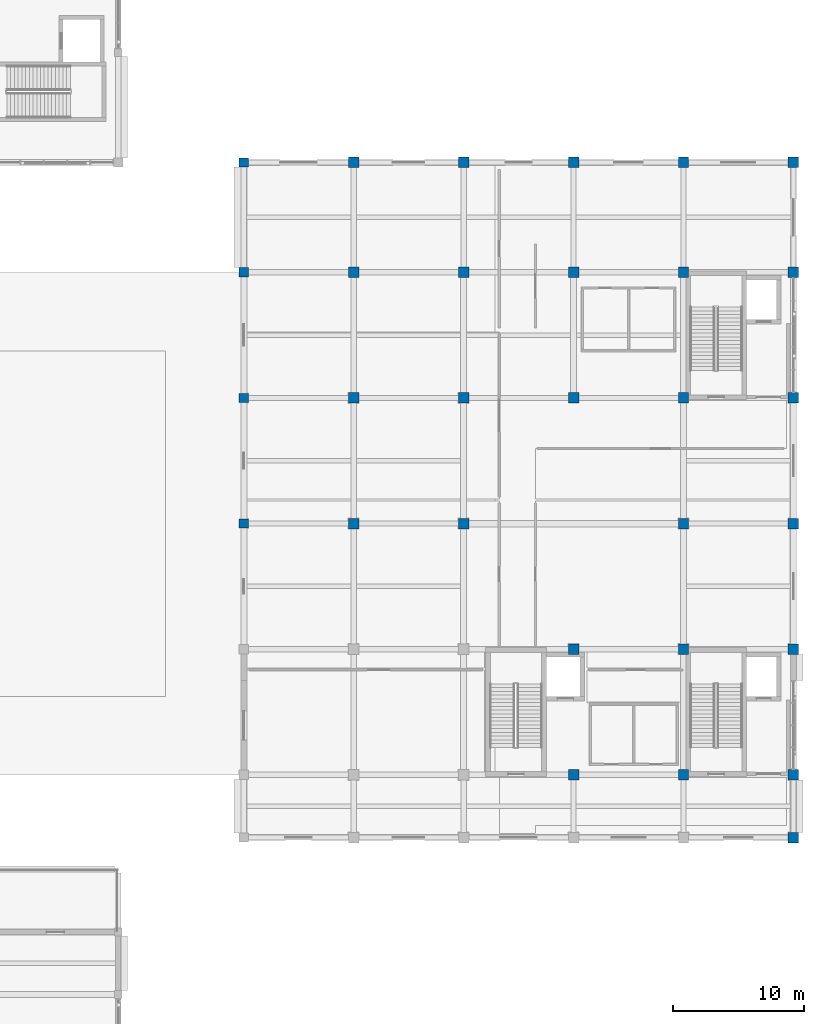
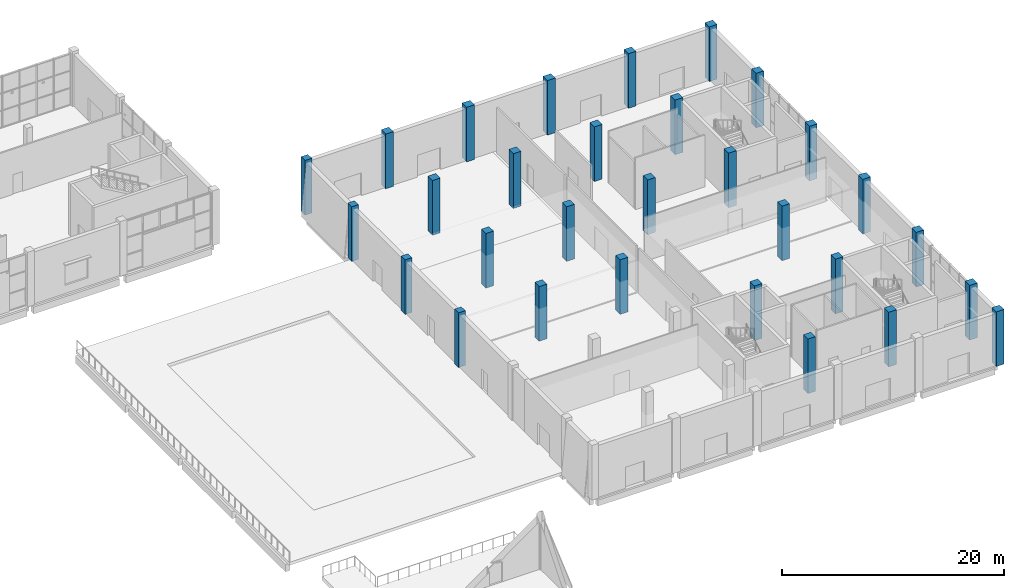
# One storey, part 2 of 84: 30 columns.
"""IFC4 building model written with IfcOpenShell, lengths in metres."""

from ifc_helpers import new_model, si_unit, direction, frame, origin, origin_2d, place, context, subcontext, project, spatial, rectangle, extrude, material, material_profile, profile_set, type_object, element, save


model = new_model("IFC4")

# Units and contexts
model_context = context("Model", 3, precision=1e-05, world=origin(), true_north=direction((0.0, 1.0)))
body_context = subcontext(model_context, "Body", "Model", "MODEL_VIEW")
ifc_project = project(units=[si_unit("LENGTHUNIT", "METRE"), si_unit("AREAUNIT", "SQUARE_METRE"), si_unit("VOLUMEUNIT", "CUBIC_METRE"), si_unit("PLANEANGLEUNIT", "RADIAN"), si_unit("MASSUNIT", "GRAM", prefix="KILO")], contexts=[model_context])

# Site, building, storey
site_placement = place(None, origin())
site = spatial("IfcSite", under=ifc_project, at=site_placement, CompositionType="ELEMENT")
building_placement = place(site_placement, origin())
building = spatial("IfcBuilding", under=site, at=building_placement, Name="Shalvenor Court Art Gallery", CompositionType="ELEMENT")
storey_placement = place(building_placement, origin())
storey = spatial("IfcBuildingStorey", under=building, at=storey_placement, Name="L00", CompositionType="ELEMENT", Elevation=0.0)

# Columns
ifc_material_1 = material(Name="Concrete C40/50", Category="concrete")
ifc_material_profile_1 = material_profile(ifc_material_1, rectangle(XDim=0.800048828125, YDim=0.800048828125, at=origin_2d()), Name="RC 800x800")
ifc_profile_set_1 = profile_set([ifc_material_profile_1], Name="Concrete C40/50")
column_type_1 = type_object("IfcColumnType", Name="C-01", PredefinedType="COLUMN", material=ifc_profile_set_1)
for number, where, z_axis, x_axis, name in (
    (1, (142.800048828125, 69.60009765625, 0.0), (0.0, 0.0, 1.0), (1.0, 0.0, 0.0), "L00 Column COL-L00-C-01-0570"),
    (2, (142.800048828125, 79.199951171875, 0.0), (0.0, 0.0, 1.0), (1.0, 0.0, 0.0), "L00 Column COL-L00-C-01-0576"),
    (3, (142.800048828125, 88.800048828125, 0.0), (0.0, 0.0, 1.0), (1.0, 0.0, 0.0), "L00 Column COL-L00-C-01-0582"),
    (4, (151.199951171875, 69.60009765625, 0.0), (0.0, 0.0, 1.0), (1.0, 0.0, 0.0), "L00 Column COL-L00-C-01-0612"),
    (5, (151.199951171875, 79.199951171875, 0.0), (0.0, 0.0, 1.0), (1.0, 0.0, 0.0), "L00 Column COL-L00-C-01-0618"),
    (6, (151.199951171875, 88.800048828125, 0.0), (0.0, 0.0, 1.0), (1.0, 0.0, 0.0), "L00 Column COL-L00-C-01-0624"),
    (7, (159.60009765625, 50.39990234375, 0.0), (0.0, 0.0, 1.0), (1.0, 0.0, 0.0), "L00 Column COL-L00-C-01-0643"),
    (8, (159.60009765625, 60.0, 0.0), (0.0, 0.0, 1.0), (1.0, 0.0, 0.0), "L00 Column COL-L00-C-01-0650"),
    (9, (159.60009765625, 79.199951171875, 0.0), (0.0, 0.0, 1.0), (1.0, 0.0, 0.0), "L00 Column COL-L00-C-01-0657"),
    (10, (159.60009765625, 88.800048828125, 0.0), (0.0, 0.0, 1.0), (1.0, 0.0, 0.0), "L00 Column COL-L00-C-01-0664"),
    (11, (168.0, 50.39990234375, 0.0), (0.0, 0.0, 1.0), (1.0, 0.0, 0.0), "L00 Column COL-L00-C-01-0685"),
    (12, (168.0, 60.0, 0.0), (0.0, 0.0, 1.0), (1.0, 0.0, 0.0), "L00 Column COL-L00-C-01-0692"),
    (13, (168.0, 69.60009765625, 0.0), (0.0, 0.0, 1.0), (1.0, 0.0, 0.0), "L00 Column COL-L00-C-01-0699"),
    (14, (168.0, 79.199951171875, 0.0), (0.0, 0.0, 1.0), (1.0, 0.0, 0.0), "L00 Column COL-L00-C-01-0706"),
    (15, (168.0, 88.800048828125, 0.0), (0.0, 0.0, 1.0), (1.0, 0.0, 0.0), "L00 Column COL-L00-C-01-0713"),
):
    element("IfcColumn", number, at=place(storey_placement, frame(where, z_axis=z_axis, x_axis=x_axis)), inside=storey, type_object=column_type_1, Name=name, PredefinedType="COLUMN", context=body_context, shape_type="SweptSolid", body=[
        extrude(rectangle(XDim=0.800048828125, YDim=0.800048828125, at=origin_2d()), origin(), (0.0, 0.0, 1.0), 6.0),
    ])
ifc_material_2 = material(Name="Concrete C40/50", Category="concrete")
ifc_material_profile_2 = material_profile(ifc_material_2, rectangle(XDim=0.800048828125, YDim=0.800048828125, at=origin_2d()), Name="RC 800x800")
ifc_profile_set_2 = profile_set([ifc_material_profile_2], Name="Concrete C40/50")
column_type_2 = type_object("IfcColumnType", Name="C-01E", PredefinedType="COLUMN", material=ifc_profile_set_2)
for number, where, z_axis, x_axis, name in (
    (16, (142.800048828125, 97.199951171875, 0.0), (0.0, 0.0, 1.0), (1.0, 0.0, 0.0), "L00 Column COL-L00-C-01E-0588"),
    (17, (151.199951171875, 97.199951171875, 0.0), (0.0, 0.0, 1.0), (1.0, 0.0, 0.0), "L00 Column COL-L00-C-01E-0630"),
    (18, (159.60009765625, 97.199951171875, 0.0), (0.0, 0.0, 1.0), (1.0, 0.0, 0.0), "L00 Column COL-L00-C-01E-0671"),
    (19, (168.0, 97.199951171875, 0.0), (0.0, 0.0, 1.0), (1.0, 0.0, 0.0), "L00 Column COL-L00-C-01E-0720"),
    (20, (176.39990234375, 45.60009765625, 0.0), (0.0, 0.0, 1.0), (1.0, 0.0, 0.0), "L00 Column COL-L00-C-01E-0727"),
    (21, (176.39990234375, 50.39990234375, 0.0), (0.0, 0.0, 1.0), (1.0, 0.0, 0.0), "L00 Column COL-L00-C-01E-0734"),
    (22, (176.39990234375, 60.0, 0.0), (0.0, 0.0, 1.0), (1.0, 0.0, 0.0), "L00 Column COL-L00-C-01E-0741"),
    (23, (176.39990234375, 69.60009765625, 0.0), (0.0, 0.0, 1.0), (1.0, 0.0, 0.0), "L00 Column COL-L00-C-01E-0748"),
    (24, (176.39990234375, 79.199951171875, 0.0), (0.0, 0.0, 1.0), (1.0, 0.0, 0.0), "L00 Column COL-L00-C-01E-0755"),
    (25, (176.39990234375, 88.800048828125, 0.0), (0.0, 0.0, 1.0), (1.0, 0.0, 0.0), "L00 Column COL-L00-C-01E-0762"),
    (26, (176.39990234375, 97.199951171875, 0.0), (0.0, 0.0, 1.0), (1.0, 0.0, 0.0), "L00 Column COL-L00-C-01E-0769"),
):
    element("IfcColumn", number, at=place(storey_placement, frame(where, z_axis=z_axis, x_axis=x_axis)), inside=storey, type_object=column_type_2, Name=name, PredefinedType="COLUMN", context=body_context, shape_type="SweptSolid", body=[
        extrude(rectangle(XDim=0.800048828125, YDim=0.800048828125, at=origin_2d()), origin(), (0.0, 0.0, 1.0), 6.0),
    ])
ifc_material_3 = material(Name="Concrete C40/50", Category="concrete")
ifc_material_profile_3 = material_profile(ifc_material_3, rectangle(XDim=0.699951171875, YDim=0.699951171875, at=origin_2d()), Name="RC 700x700")
ifc_profile_set_3 = profile_set([ifc_material_profile_3], Name="Concrete C40/50")
column_type_3 = type_object("IfcColumnType", Name="C-02E", PredefinedType="COLUMN", material=ifc_profile_set_3)
for number, where, z_axis, x_axis, name in (
    (27, (134.39990234375, 69.60009765625, 0.0), (0.0, 0.0, 1.0), (1.0, 0.0, 0.0), "L00 Column COL-L00-C-02E-0544"),
    (28, (134.39990234375, 79.199951171875, 0.0), (0.0, 0.0, 1.0), (1.0, 0.0, 0.0), "L00 Column COL-L00-C-02E-0546"),
    (29, (134.39990234375, 88.800048828125, 0.0), (0.0, 0.0, 1.0), (1.0, 0.0, 0.0), "L00 Column COL-L00-C-02E-0548"),
    (30, (134.39990234375, 97.199951171875, 0.0), (0.0, 0.0, 1.0), (1.0, 0.0, 0.0), "L00 Column COL-L00-C-02E-0550"),
):
    element("IfcColumn", number, at=place(storey_placement, frame(where, z_axis=z_axis, x_axis=x_axis)), inside=storey, type_object=column_type_3, Name=name, PredefinedType="COLUMN", context=body_context, shape_type="SweptSolid", body=[
        extrude(rectangle(XDim=0.699951171875, YDim=0.699951171875, at=origin_2d()), origin(), (0.0, 0.0, 1.0), 6.0),
    ])

save(model, "model.ifc")
